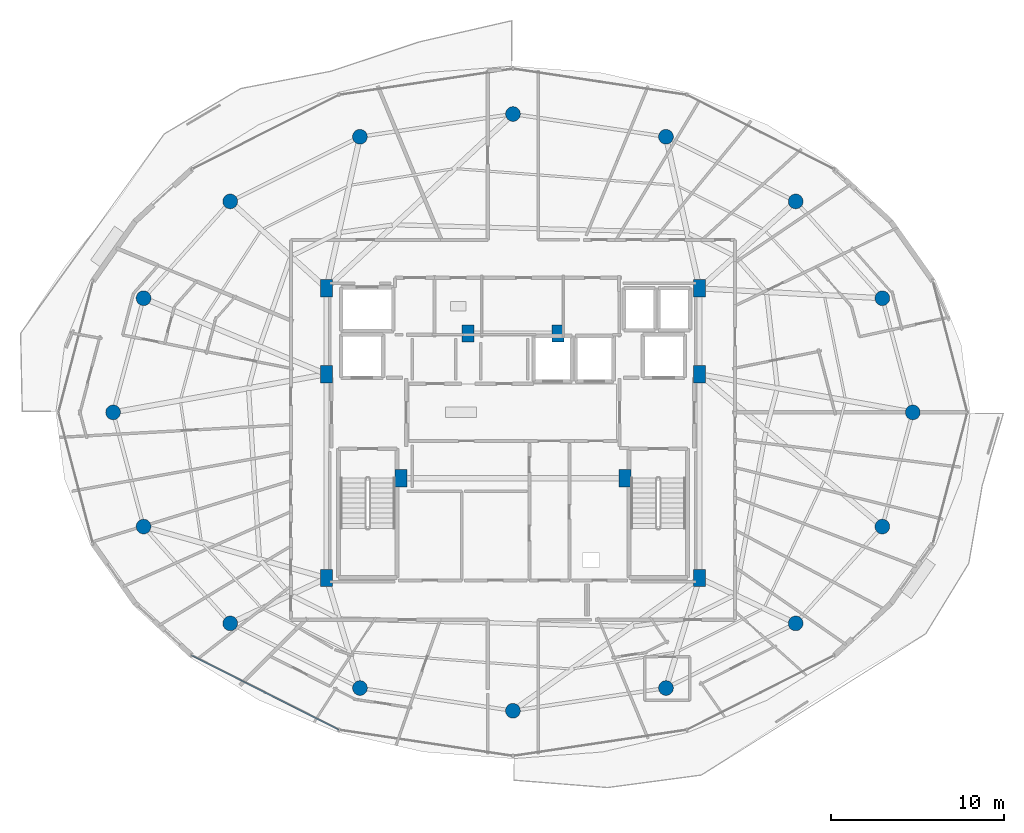
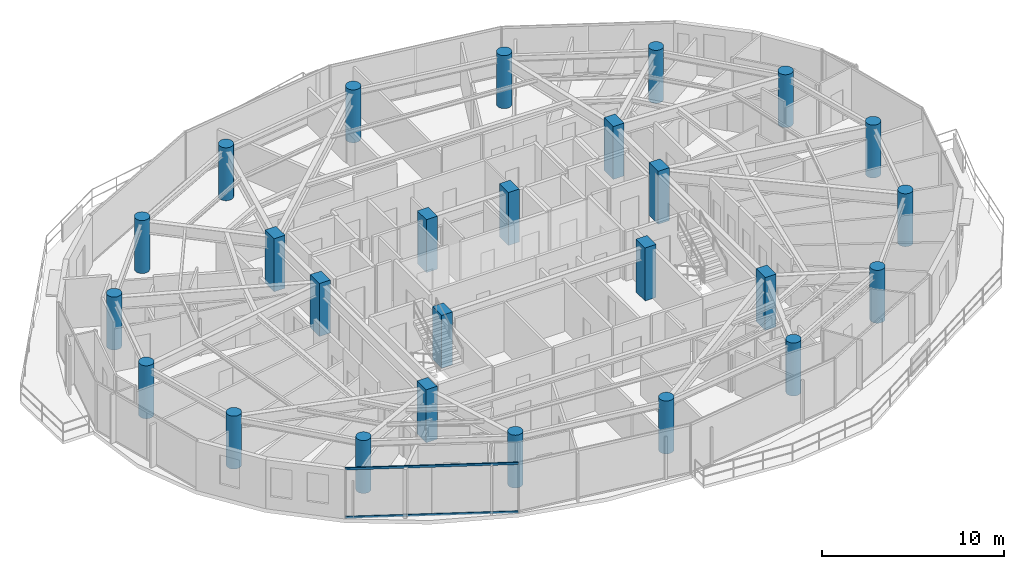
# One storey, part 1 of 29: 26 columns, 2 members, 1 element without a shape of its own.
"""IFC4 building model written with IfcOpenShell, lengths in metres."""

import ifcopenshell
import ifcopenshell.guid

model = None  # the IFC model being written
_history = None  # IfcOwnerHistory: only IFC2X3 demands one
_inside = {}  # id of a spatial element -> (the spatial element, [elements in it])
_under = {}  # id of a project, library or spatial element -> (it, [spatial elements below it])
_declared = {}  # id of a project -> (the project, [libraries it declares])
_typed = {}  # id of a type object -> (the type object, [elements of that type])
_made_of = {}  # id of a material, layer set ... -> (it, [elements and type objects made of it])


def new_model(schema):
    """Start an empty IFC model of exactly this schema.

    Asked for "IFC4X3", IfcOpenShell would pick the latest addendum, in which some entities
    have other attributes; the version numbers below select the first issue.
    IFC2X3 requires an IfcOwnerHistory on every rooted entity: one is made here for all.
    """
    global model, _history
    if schema == "IFC4X3":
        model = ifcopenshell.file(schema_version=(4, 3, 0, 0))
    else:
        model = ifcopenshell.file(schema=schema)
    _inside.clear()
    _under.clear()
    _declared.clear()
    _typed.clear()
    _made_of.clear()
    _history = None
    if model.schema == "IFC2X3":
        org = make("IfcOrganization", Name="unknown")
        user = make(
            "IfcPersonAndOrganization",
            ThePerson=make("IfcPerson", FamilyName="unknown"),
            TheOrganization=org,
        )
        app = make(
            "IfcApplication",
            ApplicationDeveloper=org,
            Version="unknown",
            ApplicationFullName="unknown",
            ApplicationIdentifier="unknown",
        )
        _history = make(
            "IfcOwnerHistory",
            OwningUser=user,
            OwningApplication=app,
            ChangeAction="ADDED",
            CreationDate=0,
        )
    return model


def make(cls, **values):
    """One entity of the class cls with the attributes given. An attribute that is None is left unset."""
    return model.create_entity(
        cls, **{name: value for name, value in values.items() if value is not None}
    )


def rooted(cls, **values):
    """An entity with a GlobalId (a new one), such as an element, a storey or a relation."""
    return make(cls, GlobalId=ifcopenshell.guid.new(), OwnerHistory=_history, **values)


def si_unit(unit_type, name, prefix=None):
    """IfcSIUnit, for example si_unit("LENGTHUNIT", "METRE", prefix="MILLI")."""
    return make("IfcSIUnit", UnitType=unit_type, Prefix=prefix, Name=name)


def assignment(units):
    """IfcUnitAssignment: the units of a project."""
    return None if units is None else make("IfcUnitAssignment", Units=units)


def point(xyz):
    """IfcCartesianPoint."""
    return None if xyz is None else make("IfcCartesianPoint", Coordinates=xyz)


def direction(xyz):
    """IfcDirection."""
    return None if xyz is None else make("IfcDirection", DirectionRatios=xyz)


def frame(location, z_axis=None, x_axis=None):
    """IfcAxis2Placement3D, a coordinate frame: its origin and axes. An axis left out is left unset."""
    return make(
        "IfcAxis2Placement3D",
        Location=point(location),
        Axis=direction(z_axis),
        RefDirection=direction(x_axis),
    )


def frame_2d(location, x_axis=None):
    """IfcAxis2Placement2D, a coordinate frame in the plane: its origin and x axis."""
    return make(
        "IfcAxis2Placement2D", Location=point(location), RefDirection=direction(x_axis)
    )


def origin():
    """The frame at (0, 0, 0) with its axes left unset."""
    return frame((0.0, 0.0, 0.0))


def origin_2d():
    """The frame at (0, 0) in the plane with its x axis left unset."""
    return frame_2d((0.0, 0.0))


def place(relative_to, where):
    """IfcLocalPlacement: puts the frame where relative to a parent placement (None: the world)."""
    return make(
        "IfcLocalPlacement", PlacementRelTo=relative_to, RelativePlacement=where
    )


def context(
    kind, dimensions, precision=None, world=None, true_north=None, identifier=None
):
    """IfcGeometricRepresentationContext, for example the 3D "Model" context."""
    return make(
        "IfcGeometricRepresentationContext",
        ContextIdentifier=identifier,
        ContextType=kind,
        CoordinateSpaceDimension=dimensions,
        Precision=precision,
        WorldCoordinateSystem=world,
        TrueNorth=true_north,
    )


def subcontext(parent, identifier, kind, view, scale=None):
    """IfcGeometricRepresentationSubContext, for example "Body" below "Model"."""
    return make(
        "IfcGeometricRepresentationSubContext",
        ContextIdentifier=identifier,
        ContextType=kind,
        ParentContext=parent,
        TargetScale=scale,
        TargetView=view,
    )


def project(units=None, contexts=None):
    """IfcProject with its units and contexts."""
    return rooted(
        "IfcProject",
        Name="project",
        RepresentationContexts=contexts,
        UnitsInContext=assignment(units),
    )


def spatial(cls, under=None, at=None, **own):
    """A site, building, storey or space (cls), placed at a placement, below another one or the project."""
    s = rooted(cls, ObjectPlacement=at, **own)
    if under is not None:
        _under.setdefault(under.id(), (under, []))[1].append(s)
    return s


def profile(cls, at=None, kind="AREA", **sizes):
    """A parametric profile (cls). Its sizes go by their IFC names, for example OverallWidth=200.0."""
    return make(cls, ProfileType=kind, Position=at, **sizes)


def rectangle(**sizes):
    """IfcRectangleProfileDef."""
    return profile("IfcRectangleProfileDef", **sizes)


def hollow_rectangle(**sizes):
    """IfcRectangleHollowProfileDef."""
    return profile("IfcRectangleHollowProfileDef", **sizes)


def circle(**sizes):
    """IfcCircleProfileDef."""
    return profile("IfcCircleProfileDef", **sizes)


def extrude(swept, where, along, depth):
    """IfcExtrudedAreaSolid: the profile swept, set in the frame where, extruded along a direction by depth."""
    return make(
        "IfcExtrudedAreaSolid",
        SweptArea=swept,
        Position=where,
        ExtrudedDirection=direction(along),
        Depth=depth,
    )


def shape(context_of_items, identifier, shape_type, items):
    """IfcShapeRepresentation: the items that make up one representation, for example the "Body"."""
    return make(
        "IfcShapeRepresentation",
        ContextOfItems=context_of_items,
        RepresentationIdentifier=identifier,
        RepresentationType=shape_type,
        Items=items,
    )


def material(Name=None, Category=None):
    """IfcMaterial."""
    return make("IfcMaterial", Name=Name, Category=Category)


def material_profile(
    of_material, cross_section, Name=None, Category=None, Priority=None
):
    """IfcMaterialProfile: a cross section and its material."""
    return make(
        "IfcMaterialProfile",
        Name=Name,
        Material=of_material,
        Profile=cross_section,
        Priority=Priority,
        Category=Category,
    )


def profile_set(profiles, Name=None, composite=None):
    """IfcMaterialProfileSet."""
    return make(
        "IfcMaterialProfileSet",
        Name=Name,
        MaterialProfiles=profiles,
        CompositeProfile=composite,
    )


def made_of(thing, what):
    """Note that an element or type object is made of a material, layer set ...; save() writes the relation."""
    if what is not None:
        _made_of.setdefault(what.id(), (what, []))[1].append(thing)
    return thing


def type_object(cls, material=None, **own):
    """A type object (cls), such as IfcWallType, which elements share."""
    return made_of(rooted(cls, **own), material)


def element(
    cls,
    number,
    at=None,
    inside=None,
    cuts=None,
    type_object=None,
    material=None,
    context=None,
    identifier="Body",
    shape_type=None,
    held_by="IfcProductDefinitionShape",
    body=None,
    shapes=None,
    **own,
):
    """One element of the class cls, such as IfcWall. Its Tag is "e" and its number.

    at: its placement. inside: the storey or other place that contains it. cuts: it is an
    opening in that element (IfcRelVoidsElement). A single representation is given by context,
    identifier, shape_type and body (its items); several are given by shapes. held_by: the class
    of the entity that holds the representations. save() writes the other relations.
    """
    e = rooted(cls, Tag="e%d" % number, ObjectPlacement=at, **own)
    if body is not None:
        shapes = [shape(context, identifier, shape_type, body)]
    if shapes is not None:
        e.Representation = make(held_by, Representations=shapes)
    if inside is not None:
        _inside.setdefault(inside.id(), (inside, []))[1].append(e)
    if cuts is not None:
        rooted(
            "IfcRelVoidsElement", RelatingBuildingElement=cuts, RelatedOpeningElement=e
        )
    if type_object is not None:
        _typed.setdefault(type_object.id(), (type_object, []))[1].append(e)
    return made_of(e, material)


def aggregate(whole, parts):
    """IfcRelAggregates: a whole, such as a stair, and the parts it consists of."""
    return rooted("IfcRelAggregates", RelatingObject=whole, RelatedObjects=parts)


def save(model, path):
    """Write the relations noted so far, then the file.

    IfcRelAggregates (storeys below a building ...), IfcRelContainedInSpatialStructure (elements
    in a storey), IfcRelDefinesByType, IfcRelAssociatesMaterial and IfcRelDeclares: one each for
    every whole, place, type object, material and project.
    """
    for whole, parts in _under.values():
        aggregate(whole, parts)
    for where, things in _inside.values():
        rooted(
            "IfcRelContainedInSpatialStructure",
            RelatedElements=things,
            RelatingStructure=where,
        )
    for kind, things in _typed.values():
        rooted("IfcRelDefinesByType", RelatedObjects=things, RelatingType=kind)
    for what, things in _made_of.values():
        rooted("IfcRelAssociatesMaterial", RelatedObjects=things, RelatingMaterial=what)
    for by, libraries in _declared.values():
        rooted("IfcRelDeclares", RelatingContext=by, RelatedDefinitions=libraries)
    model.write(path)


model = new_model("IFC4")

# Units and contexts
model_context = context("Model", 3, precision=1e-05, world=origin(), true_north=direction((0.0, 1.0)))
body_context = subcontext(model_context, "Body", "Model", "MODEL_VIEW")
ifc_project = project(units=[si_unit("LENGTHUNIT", "METRE"), si_unit("AREAUNIT", "SQUARE_METRE"), si_unit("VOLUMEUNIT", "CUBIC_METRE"), si_unit("PLANEANGLEUNIT", "RADIAN"), si_unit("MASSUNIT", "GRAM", prefix="KILO")], contexts=[model_context])

# Site, building, storey
site_placement = place(None, origin())
site = spatial("IfcSite", under=ifc_project, at=site_placement, CompositionType="ELEMENT")
building_placement = place(site_placement, origin())
building = spatial("IfcBuilding", under=site, at=building_placement, Name="Vorneva Point Tower", CompositionType="ELEMENT")
storey_placement = place(building_placement, frame((0.0, 0.0, 259.10009765625)))
storey = spatial("IfcBuildingStorey", under=building, at=storey_placement, Name="L70", CompositionType="ELEMENT", Elevation=259.10009765625)

# Columns
ifc_material_1 = material(Name="Concrete B50 (C40/50)", Category="concrete")
ifc_material_profile_1 = material_profile(ifc_material_1, circle(Radius=0.425048828125, at=origin_2d()), Name="RC-CIRC 850")
ifc_profile_set_1 = profile_set([ifc_material_profile_1], Name="Concrete B50 (C40/50)")
column_type_1 = type_object("IfcColumnType", Name="COL-RC850C", PredefinedType="COLUMN", material=ifc_profile_set_1)
for number, where, z_axis, x_axis, name in (
    (1, (61.050048828125, 26.0, 0.0), (0.0, 0.0, 1.0), (1.0, 0.0, 0.0), "L70 Perimeter Column P01"),
    (2, (59.29541015625, 32.582275390625, 0.0), (0.0, 0.0, 1.0), (0.923879532511, 0.382683432365, 0.0), "L70 Perimeter Column P02"),
    (3, (54.298828125, 38.162109375, 0.0), (0.0, 0.0, 1.0), (0.707106781187, 0.707106781187, 0.0), "L70 Perimeter Column P03"),
    (4, (46.82080078125, 41.890625, 0.0), (0.0, 0.0, 1.0), (0.382683432365, 0.923879532511, 0.0), "L70 Perimeter Column P04"),
    (5, (38.0, 43.199951171875, 0.0), (0.0, 0.0, 1.0), (0.0, 1.0, 0.0), "L70 Perimeter Column P05"),
    (6, (29.17919921875, 41.890625, 0.0), (0.0, 0.0, 1.0), (-0.382683432365, 0.923879532511, 0.0), "L70 Perimeter Column P06"),
    (7, (21.701171875, 38.162109375, 0.0), (0.0, 0.0, 1.0), (-0.707106781187, 0.707106781187, 0.0), "L70 Perimeter Column P07"),
    (8, (16.70458984375, 32.582275390625, 0.0), (0.0, 0.0, 1.0), (-0.923879532511, 0.382683432365, 0.0), "L70 Perimeter Column P08"),
    (9, (14.949951171875, 26.0, 0.0), (0.0, 0.0, 1.0), (-1.0, 0.0, 0.0), "L70 Perimeter Column P09"),
    (10, (16.70458984375, 19.417724609375, 0.0), (0.0, 0.0, 1.0), (-0.923879532511, -0.382683432365, 0.0), "L70 Perimeter Column P10"),
    (11, (21.701171875, 13.837890625, 0.0), (0.0, 0.0, 1.0), (-0.707106781187, -0.707106781187, 0.0), "L70 Perimeter Column P11"),
    (12, (29.17919921875, 10.109375, 0.0), (0.0, 0.0, 1.0), (-0.382683432365, -0.923879532511, 0.0), "L70 Perimeter Column P12"),
    (13, (38.0, 8.800048828125, 0.0), (0.0, 0.0, 1.0), (0.0, -1.0, 0.0), "L70 Perimeter Column P13"),
    (14, (46.82080078125, 10.109375, 0.0), (0.0, 0.0, 1.0), (0.382683432365, -0.923879532511, 0.0), "L70 Perimeter Column P14"),
    (15, (54.298828125, 13.837890625, 0.0), (0.0, 0.0, 1.0), (0.707106781187, -0.707106781187, 0.0), "L70 Perimeter Column P15"),
    (16, (59.29541015625, 19.417724609375, 0.0), (0.0, 0.0, 1.0), (0.923879532511, -0.382683432365, 0.0), "L70 Perimeter Column P16"),
):
    element("IfcColumn", number, at=place(storey_placement, frame(where, z_axis=z_axis, x_axis=x_axis)), inside=storey, type_object=column_type_1, Name=name, PredefinedType="COLUMN", context=body_context, shape_type="SweptSolid", body=[
        extrude(circle(Radius=0.425048828125, at=origin_2d()), origin(), (0.0, 0.0, 1.0), 3.5498046875),
    ])
ifc_material_profile_2 = material_profile(ifc_material_1, rectangle(XDim=0.699951171875, YDim=1.0, at=origin_2d()), Name="RC-PIL 1000x700")
ifc_profile_set_2 = profile_set([ifc_material_profile_2], Name="Concrete B50 (C40/50)")
column_type_2 = type_object("IfcColumnType", Name="PIL-RC1000x700", PredefinedType="PILASTER", material=ifc_profile_set_2)
for number, where, z_axis, x_axis, name in (
    (17, (27.25, 16.449951171875, 0.0), (0.0, 0.0, 1.0), (1.0, 0.0, 0.0), "L70 Core Pilaster CP1"),
    (18, (27.25, 28.199951171875, 0.0), (0.0, 0.0, 1.0), (1.0, 0.0, 0.0), "L70 Core Pilaster CP2"),
    (19, (27.25, 33.14990234375, 0.0), (0.0, 0.0, 1.0), (1.0, 0.0, 0.0), "L70 Core Pilaster CP3"),
    (20, (31.550048828125, 22.199951171875, 0.0), (0.0, 0.0, 1.0), (1.0, 0.0, 0.0), "L70 Core Pilaster CP4"),
    (21, (48.75, 33.14990234375, 0.0), (0.0, 0.0, 1.0), (1.0, 0.0, 0.0), "L70 Core Pilaster CP5"),
    (22, (48.75, 28.199951171875, 0.0), (0.0, 0.0, 1.0), (1.0, 0.0, 0.0), "L70 Core Pilaster CP6"),
    (23, (48.75, 16.449951171875, 0.0), (0.0, 0.0, 1.0), (1.0, 0.0, 0.0), "L70 Core Pilaster CP7"),
    (24, (44.449951171875, 22.199951171875, 0.0), (0.0, 0.0, 1.0), (1.0, 0.0, 0.0), "L70 Core Pilaster CP8"),
    (25, (35.39990234375, 30.550048828125, 0.0), (0.0, 0.0, 1.0), (1.0, 0.0, 0.0), "L70 Core Pilaster CP9"),
    (26, (40.60009765625, 30.550048828125, 0.0), (0.0, 0.0, 1.0), (1.0, 0.0, 0.0), "L70 Core Pilaster CP10"),
):
    element("IfcColumn", number, at=place(storey_placement, frame(where, z_axis=z_axis, x_axis=x_axis)), inside=storey, type_object=column_type_2, Name=name, PredefinedType="PILASTER", context=body_context, shape_type="SweptSolid", body=[
        extrude(rectangle(XDim=0.699951171875, YDim=1.0, at=origin_2d()), origin(), (0.0, 0.0, 1.0), 3.5498046875),
    ])

# Curtain wall, members
ifc_material_2 = material(Name="Pale anodised aluminium", Category="aluminium")
curtain_wall_type = type_object("IfcCurtainWallType", Name="CW-RES-SYS", PredefinedType="NOTDEFINED", material=ifc_material_2)
curtain_wall_placement = place(storey_placement, origin())
curtain_wall = element("IfcCurtainWall", 27, at=curtain_wall_placement, inside=storey, type_object=curtain_wall_type, Name="L70 Unitised Curtain Wall CW-L70-R04", PredefinedType="NOTDEFINED")
ifc_material_profile_3 = material_profile(ifc_material_2, hollow_rectangle(XDim=0.074951171875, YDim=0.14990234375, WallThickness=0.00390625, at=origin_2d()), Name="AL-TRN 150x75x4")
ifc_profile_set_3 = profile_set([ifc_material_profile_3], Name="Pale anodised aluminium")
member_type = type_object("IfcMemberType", Name="CW-TRN-150", PredefinedType="USERDEFINED", material=ifc_profile_set_3)
member_1_placement = place(storey_placement, frame((19.473876953125, 11.9921875, 0.02001953125), z_axis=(0.892558185815, -0.450932239848, 0.0), x_axis=(0.450932239848, 0.892558185815, 0.0)))
member_1 = element("IfcMember", 28, at=member_1_placement, type_object=member_type, Name="CW-L70-R04 Transom 01.1", ObjectType="TRANSOM", PredefinedType="USERDEFINED", context=body_context, shape_type="SweptSolid", body=[
    extrude(hollow_rectangle(XDim=0.074951171875, YDim=0.14990234375, WallThickness=0.00390625, at=origin_2d()), origin(), (0.0, 0.0, 1.0), 9.52294921875),
])
member_2_placement = place(storey_placement, frame((19.473876953125, 11.9921875, 3.27001953125), z_axis=(0.892558185815, -0.450932239848, 0.0), x_axis=(0.450932239848, 0.892558185815, 0.0)))
member_2 = element("IfcMember", 29, at=member_2_placement, type_object=member_type, Name="CW-L70-R04 Transom 01.2", ObjectType="TRANSOM", PredefinedType="USERDEFINED", context=body_context, shape_type="SweptSolid", body=[
    extrude(hollow_rectangle(XDim=0.074951171875, YDim=0.14990234375, WallThickness=0.00390625, at=origin_2d()), origin(), (0.0, 0.0, 1.0), 9.52294921875),
])
aggregate(curtain_wall, [member_1, member_2])

save(model, "model.ifc")
